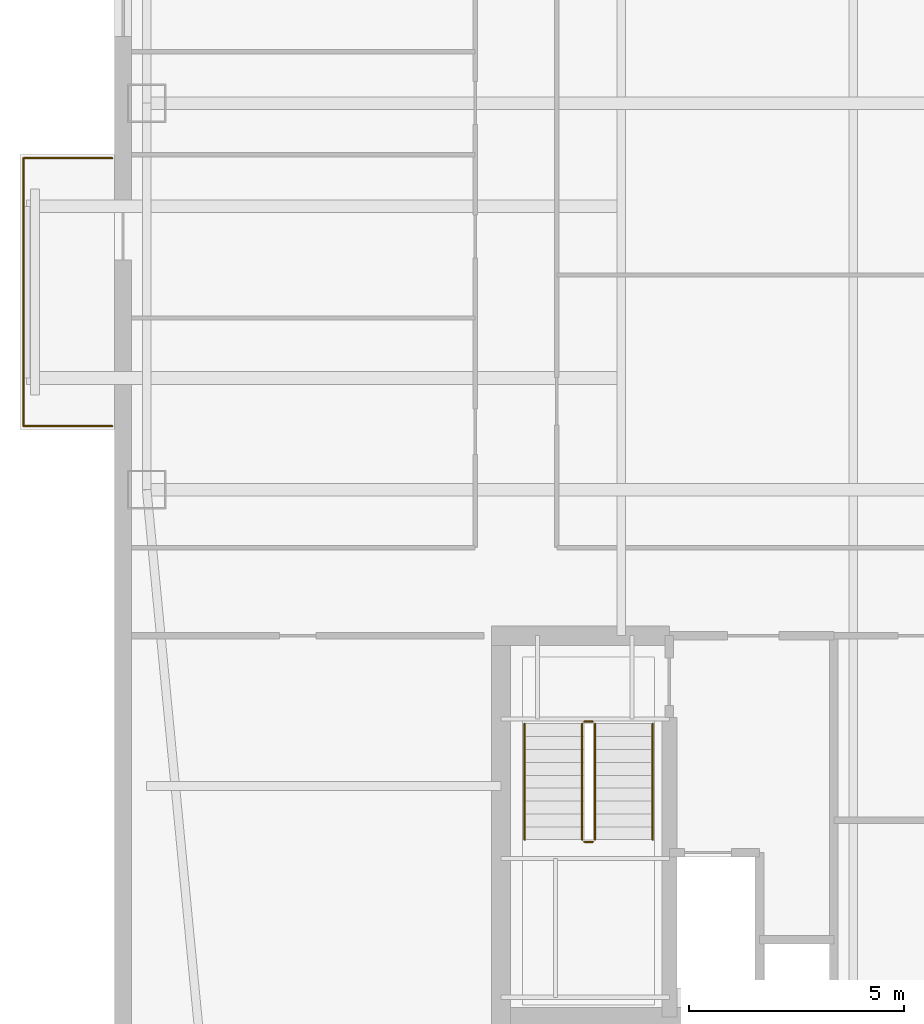
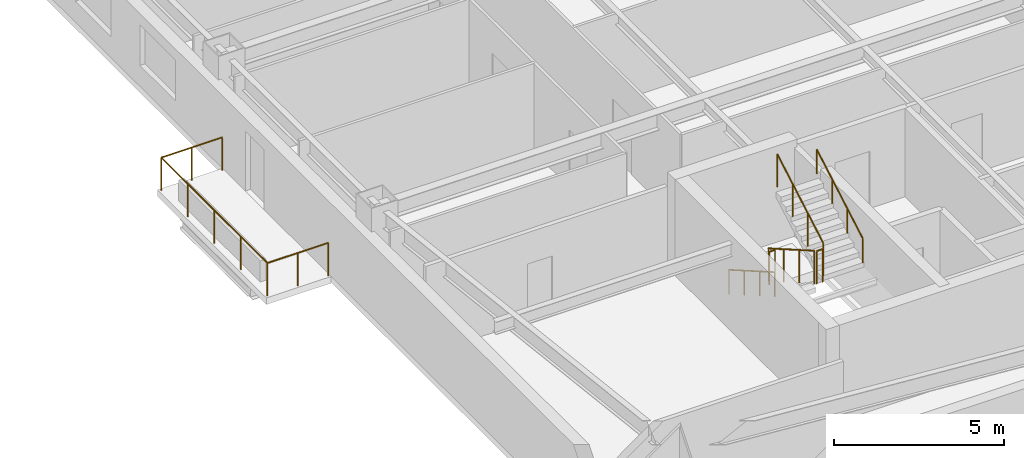
# One storey, part 12 of 15: 7 railings.
"""IFC4 building model written with IfcOpenShell, lengths in metres."""

from ifc_helpers import new_model, si_unit, direction, frame, origin, origin_2d, place, context, subcontext, project, spatial, circle, extrude, material, type_object, element, save


model = new_model("IFC4")

# Units and contexts
model_context = context("Model", 3, precision=1e-05, world=origin(), true_north=direction((0.0, 1.0)))
body_context = subcontext(model_context, "Body", "Model", "MODEL_VIEW")
ifc_project = project(units=[si_unit("LENGTHUNIT", "METRE"), si_unit("AREAUNIT", "SQUARE_METRE"), si_unit("VOLUMEUNIT", "CUBIC_METRE"), si_unit("PLANEANGLEUNIT", "RADIAN"), si_unit("MASSUNIT", "GRAM", prefix="KILO")], contexts=[model_context])

# Site, building, storey
site_placement = place(None, origin())
site = spatial("IfcSite", under=ifc_project, at=site_placement, CompositionType="ELEMENT")
building_placement = place(site_placement, origin())
building = spatial("IfcBuilding", under=site, at=building_placement, Name="Qiaolan Cultural Towers", CompositionType="ELEMENT")
storey_placement = place(building_placement, frame((0.0, 0.0, 209.300048828125)))
storey = spatial("IfcBuildingStorey", under=building, at=storey_placement, Name="L56", CompositionType="ELEMENT", Elevation=209.300048828125)

# Railings
ifc_material_1 = material(Name="Laminated SentryGlas & Stainless Steel S31608 Balustrade", Category="steel")
railing_type_1 = type_object("IfcRailingType", Name="GRD-TERR-1200", PredefinedType="BALUSTRADE", material=ifc_material_1)
railing_1_placement = place(storey_placement, frame((12.75, 26.47998046875, 0.0)))
element("IfcRailing", 1, at=railing_1_placement, inside=storey, type_object=railing_type_1, Name="L56 T1 Tree Balcony Guardrail W", PredefinedType="BALUSTRADE", context=body_context, shape_type="SweptSolid", body=[
    extrude(circle(Radius=0.02392578125, at=origin_2d()), frame((0.0, 0.0, 1.17578125), z_axis=(-1.0, 0.0, 0.0), x_axis=(0.0, -1.0, 0.0)), (0.0, 0.0, 1.0), 2.070068359375),
    extrude(circle(Radius=0.02392578125, at=origin_2d()), frame((-2.070068359375, 0.0, 1.17578125), z_axis=(0.0, 1.0, 0.0), x_axis=(-1.0, 0.0, 0.0)), (0.0, 0.0, 1.0), 6.239990234375),
    extrude(circle(Radius=0.02392578125, at=origin_2d()), frame((-2.070068359375, 6.239990234375, 1.17578125), z_axis=(1.0, 0.0, 0.0), x_axis=(0.0, 1.0, 0.0)), (0.0, 0.0, 1.0), 2.070068359375),
    extrude(circle(Radius=0.02099609375, at=origin_2d()), origin(), (0.0, 0.0, 1.0), 1.15185546875),
    extrude(circle(Radius=0.02099609375, at=origin_2d()), frame((-1.03515625, 0.0, 0.0)), (0.0, 0.0, 1.0), 1.15185546875),
    extrude(circle(Radius=0.02099609375, at=origin_2d()), frame((-2.070068359375, 0.0, 0.0)), (0.0, 0.0, 1.0), 1.15185546875),
    extrude(circle(Radius=0.02099609375, at=origin_2d()), frame((-2.070068359375, 1.56005859375, 0.0)), (0.0, 0.0, 1.0), 1.15185546875),
    extrude(circle(Radius=0.02099609375, at=origin_2d()), frame((-2.070068359375, 3.1201171875, 0.0)), (0.0, 0.0, 1.0), 1.15185546875),
    extrude(circle(Radius=0.02099609375, at=origin_2d()), frame((-2.070068359375, 4.679931640625, 0.0)), (0.0, 0.0, 1.0), 1.15185546875),
    extrude(circle(Radius=0.02099609375, at=origin_2d()), frame((-2.070068359375, 6.239990234375, 0.0)), (0.0, 0.0, 1.0), 1.15185546875),
    extrude(circle(Radius=0.02099609375, at=origin_2d()), frame((-1.03515625, 6.239990234375, 0.0)), (0.0, 0.0, 1.0), 1.15185546875),
    extrude(circle(Radius=0.02099609375, at=origin_2d()), frame((0.0, 6.239990234375, 0.0)), (0.0, 0.0, 1.0), 1.15185546875),
])
ifc_material_2 = material(Name="Galvanized Painted Steel Stair Guardrail", Category="steel")
railing_type_2 = type_object("IfcRailingType", Name="RL-STAIR-GRD", PredefinedType="GUARDRAIL", material=ifc_material_2)
railing_2_placement = place(storey_placement, frame((23.68994140625, 19.550048828125, 0.17236328125)))
element("IfcRailing", 2, at=railing_2_placement, inside=storey, type_object=railing_type_2, Name="L56 ST-W1 stair guard 1", PredefinedType="GUARDRAIL", context=body_context, shape_type="SweptSolid", body=[
    extrude(circle(Radius=0.02392578125, at=origin_2d()), frame((0.0, 0.0, 1.17578125), z_axis=(0.0, -0.866903762492, 0.498475542607), x_axis=(1.0, 0.0, 0.0)), (0.0, 0.0, 1.0), 3.114501953125),
    extrude(circle(Radius=0.02099609375, at=origin_2d()), origin(), (0.0, 0.0, 1.0), 1.15185546875),
    extrude(circle(Radius=0.02099609375, at=origin_2d()), frame((0.0, -0.89990234375, 0.517578125)), (0.0, 0.0, 1.0), 1.15185546875),
    extrude(circle(Radius=0.02099609375, at=origin_2d()), frame((0.0, -1.800048828125, 1.034912109375)), (0.0, 0.0, 1.0), 1.15185546875),
    extrude(circle(Radius=0.02099609375, at=origin_2d()), frame((0.0, -2.699951171875, 1.552490234375)), (0.0, 0.0, 1.0), 1.15185546875),
])
railing_3_placement = place(storey_placement, frame((23.739990234375, 16.800048828125, 1.724853515625)))
element("IfcRailing", 3, at=railing_3_placement, inside=storey, type_object=railing_type_2, Name="L56 ST-W1 stair guard 2", PredefinedType="GUARDRAIL", context=body_context, shape_type="SweptSolid", body=[
    extrude(circle(Radius=0.02392578125, at=origin_2d()), frame((0.0, 0.0, 1.17578125), z_axis=(1.0, 0.0, 0.0), x_axis=(0.0, 1.0, 0.0)), (0.0, 0.0, 1.0), 0.199951171875),
    extrude(circle(Radius=0.02099609375, at=origin_2d()), origin(), (0.0, 0.0, 1.0), 1.15185546875),
    extrude(circle(Radius=0.02099609375, at=origin_2d()), frame((0.199951171875, 0.0, 0.0)), (0.0, 0.0, 1.0), 1.15185546875),
])
railing_4_placement = place(storey_placement, frame((23.989990234375, 16.85009765625, 1.8974609375)))
element("IfcRailing", 4, at=railing_4_placement, inside=storey, type_object=railing_type_2, Name="L56 ST-W1 stair guard 3", PredefinedType="GUARDRAIL", context=body_context, shape_type="SweptSolid", body=[
    extrude(circle(Radius=0.02392578125, at=origin_2d()), frame((0.0, 0.0, 1.17578125), z_axis=(0.0, 0.866903762492, 0.498475542607), x_axis=(-1.0, 0.0, 0.0)), (0.0, 0.0, 1.0), 3.114501953125),
    extrude(circle(Radius=0.02099609375, at=origin_2d()), origin(), (0.0, 0.0, 1.0), 1.15185546875),
    extrude(circle(Radius=0.02099609375, at=origin_2d()), frame((0.0, 0.89990234375, 0.517578125)), (0.0, 0.0, 1.0), 1.15185546875),
    extrude(circle(Radius=0.02099609375, at=origin_2d()), frame((0.0, 1.800048828125, 1.034912109375)), (0.0, 0.0, 1.0), 1.15185546875),
    extrude(circle(Radius=0.02099609375, at=origin_2d()), frame((0.0, 2.699951171875, 1.552490234375)), (0.0, 0.0, 1.0), 1.15185546875),
])
railing_5_placement = place(storey_placement, frame((23.739990234375, 19.60009765625, 0.0)))
element("IfcRailing", 5, at=railing_5_placement, inside=storey, type_object=railing_type_2, Name="L56 ST-W1 stair guard 4", PredefinedType="GUARDRAIL", context=body_context, shape_type="SweptSolid", body=[
    extrude(circle(Radius=0.02392578125, at=origin_2d()), frame((0.0, 0.0, 1.17578125), z_axis=(1.0, 0.0, 0.0), x_axis=(0.0, 1.0, 0.0)), (0.0, 0.0, 1.0), 0.199951171875),
    extrude(circle(Radius=0.02099609375, at=origin_2d()), origin(), (0.0, 0.0, 1.0), 1.15185546875),
    extrude(circle(Radius=0.02099609375, at=origin_2d()), frame((0.199951171875, 0.0, 0.0)), (0.0, 0.0, 1.0), 1.15185546875),
])
ifc_material_3 = material(Name="Stainless Steel S30408 Tubular Handrail", Category="steel")
railing_type_3 = type_object("IfcRailingType", Name="RL-STAIR-HR", PredefinedType="HANDRAIL", material=ifc_material_3)
railing_6_placement = place(storey_placement, frame((22.35009765625, 19.550048828125, 0.17236328125)))
element("IfcRailing", 6, at=railing_6_placement, inside=storey, type_object=railing_type_3, Name="L56 ST-W1 stair handrail 1", PredefinedType="HANDRAIL", context=body_context, shape_type="SweptSolid", body=[
    extrude(circle(Radius=0.02392578125, at=origin_2d()), frame((0.0, 0.0, 0.8759765625), z_axis=(0.0, -0.866903762492, 0.498475542607), x_axis=(1.0, 0.0, 0.0)), (0.0, 0.0, 1.0), 3.114501953125),
    extrude(circle(Radius=0.02099609375, at=origin_2d()), origin(), (0.0, 0.0, 1.0), 0.851806640625),
    extrude(circle(Radius=0.02099609375, at=origin_2d()), frame((0.0, -0.89990234375, 0.517578125)), (0.0, 0.0, 1.0), 0.851806640625),
    extrude(circle(Radius=0.02099609375, at=origin_2d()), frame((0.0, -1.800048828125, 1.034912109375)), (0.0, 0.0, 1.0), 0.851806640625),
    extrude(circle(Radius=0.02099609375, at=origin_2d()), frame((0.0, -2.699951171875, 1.552490234375)), (0.0, 0.0, 1.0), 0.851806640625),
])
railing_7_placement = place(storey_placement, frame((25.330078125, 16.85009765625, 1.8974609375)))
element("IfcRailing", 7, at=railing_7_placement, inside=storey, type_object=railing_type_3, Name="L56 ST-W1 stair handrail 2", PredefinedType="HANDRAIL", context=body_context, shape_type="SweptSolid", body=[
    extrude(circle(Radius=0.02392578125, at=origin_2d()), frame((0.0, 0.0, 0.8759765625), z_axis=(0.0, 0.866903762492, 0.498475542607), x_axis=(-1.0, 0.0, 0.0)), (0.0, 0.0, 1.0), 3.114501953125),
    extrude(circle(Radius=0.02099609375, at=origin_2d()), origin(), (0.0, 0.0, 1.0), 0.851806640625),
    extrude(circle(Radius=0.02099609375, at=origin_2d()), frame((0.0, 0.89990234375, 0.517578125)), (0.0, 0.0, 1.0), 0.851806640625),
    extrude(circle(Radius=0.02099609375, at=origin_2d()), frame((0.0, 1.800048828125, 1.034912109375)), (0.0, 0.0, 1.0), 0.851806640625),
    extrude(circle(Radius=0.02099609375, at=origin_2d()), frame((0.0, 2.699951171875, 1.552490234375)), (0.0, 0.0, 1.0), 0.851806640625),
])

save(model, "model.ifc")
